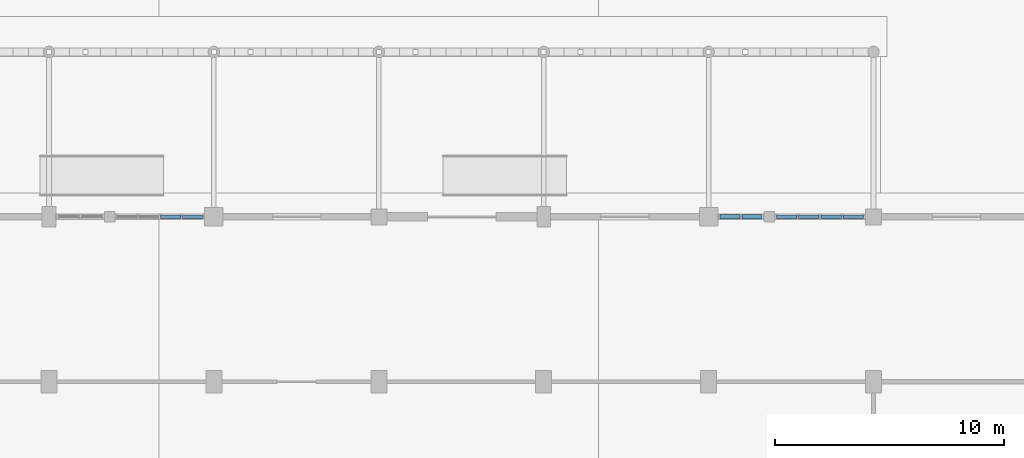
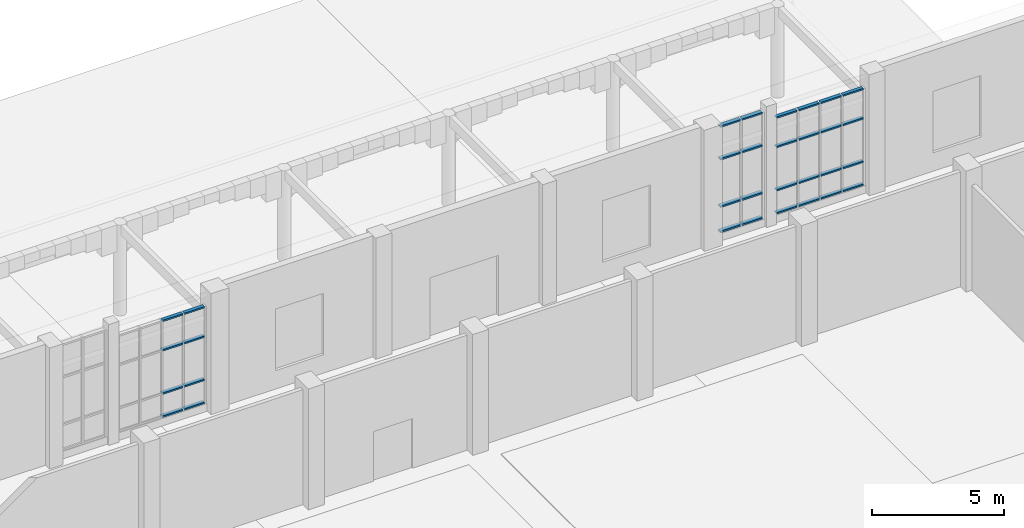
# One storey, part 36 of 85: 32 members, 3 elements without a shape of their own.
"""IFC4 building model written with IfcOpenShell, lengths in metres."""

from ifc_helpers import new_model, si_unit, direction, frame, origin, origin_2d, place, context, subcontext, project, spatial, rectangle, extrude, material, material_profile, profile_set, type_object, element, aggregate, save


model = new_model("IFC4")

# Units and contexts
model_context = context("Model", 3, precision=1e-05, world=origin(), true_north=direction((0.0, 1.0)))
body_context = subcontext(model_context, "Body", "Model", "MODEL_VIEW")
ifc_project = project(units=[si_unit("LENGTHUNIT", "METRE"), si_unit("AREAUNIT", "SQUARE_METRE"), si_unit("VOLUMEUNIT", "CUBIC_METRE"), si_unit("PLANEANGLEUNIT", "RADIAN"), si_unit("MASSUNIT", "GRAM", prefix="KILO")], contexts=[model_context])

# Site, building, storey
site_placement = place(None, origin())
site = spatial("IfcSite", under=ifc_project, at=site_placement, CompositionType="ELEMENT")
building_placement = place(site_placement, origin())
building = spatial("IfcBuilding", under=site, at=building_placement, Name="Sardonyx Promenade Sports Hall", CompositionType="ELEMENT")
storey_placement = place(building_placement, origin())
storey = spatial("IfcBuildingStorey", under=building, at=storey_placement, Name="L00", CompositionType="ELEMENT", Elevation=0.0)

# Curtain wall, members
ifc_material_1 = material(Name="Aluminium 6063-T6", Category="aluminium")
curtain_wall_type_1 = type_object("IfcCurtainWallType", Name="CW_Prac_North_L00", PredefinedType="USERDEFINED", material=ifc_material_1)
curtain_wall_1_placement = place(storey_placement, origin())
curtain_wall_1 = element("IfcCurtainWall", 1, at=curtain_wall_1_placement, inside=storey, type_object=curtain_wall_type_1, Name="Curtain wall CW06 cw:L00:100", ObjectType="CURTAIN WALL", PredefinedType="USERDEFINED")
ifc_material_2 = material(Name="Aluminium 6063-T6", Category="aluminium")
ifc_material_profile_1 = material_profile(ifc_material_2, rectangle(XDim=0.070068359375, YDim=0.159912109375, at=origin_2d()))
ifc_profile_set_1 = profile_set([ifc_material_profile_1], Name="Aluminium 6063-T6")
member_type_1 = type_object("IfcMemberType", Name="CW_Tran_160", PredefinedType="USERDEFINED", material=ifc_profile_set_1)
member_1_placement = place(storey_placement, frame((127.2724609375, 86.39990234375, 0.385009765625), z_axis=(1.0, 0.0, 0.0), x_axis=(0.0, 0.0, 1.0)))
member_1 = element("IfcMember", 2, at=member_1_placement, type_object=member_type_1, Name="Transom CT03 cw:L00:100 #9", ObjectType="TRANSOM", PredefinedType="USERDEFINED", context=body_context, shape_type="SweptSolid", body=[
    extrude(rectangle(XDim=0.070068359375, YDim=0.159912109375, at=origin_2d()), origin(), (0.0, 0.0, 1.0), 0.8837890625),
])
member_2_placement = place(storey_placement, frame((127.2724609375, 86.39990234375, 1.449951171875), z_axis=(1.0, 0.0, 0.0), x_axis=(0.0, 0.0, 1.0)))
member_2 = element("IfcMember", 3, at=member_2_placement, type_object=member_type_1, Name="Transom CT03 cw:L00:100 #10", ObjectType="TRANSOM", PredefinedType="USERDEFINED", context=body_context, shape_type="SweptSolid", body=[
    extrude(rectangle(XDim=0.070068359375, YDim=0.159912109375, at=origin_2d()), origin(), (0.0, 0.0, 1.0), 0.8837890625),
])
member_3_placement = place(storey_placement, frame((127.2724609375, 86.39990234375, 3.449951171875), z_axis=(1.0, 0.0, 0.0), x_axis=(0.0, 0.0, 1.0)))
member_3 = element("IfcMember", 4, at=member_3_placement, type_object=member_type_1, Name="Transom CT03 cw:L00:100 #11", ObjectType="TRANSOM", PredefinedType="USERDEFINED", context=body_context, shape_type="SweptSolid", body=[
    extrude(rectangle(XDim=0.070068359375, YDim=0.159912109375, at=origin_2d()), origin(), (0.0, 0.0, 1.0), 0.8837890625),
])
member_4_placement = place(storey_placement, frame((127.2724609375, 86.39990234375, 4.81494140625), z_axis=(1.0, 0.0, 0.0), x_axis=(0.0, 0.0, 1.0)))
member_4 = element("IfcMember", 5, at=member_4_placement, type_object=member_type_1, Name="Transom CT03 cw:L00:100 #12", ObjectType="TRANSOM", PredefinedType="USERDEFINED", context=body_context, shape_type="SweptSolid", body=[
    extrude(rectangle(XDim=0.070068359375, YDim=0.159912109375, at=origin_2d()), origin(), (0.0, 0.0, 1.0), 0.8837890625),
])
member_5_placement = place(storey_placement, frame((128.226318359375, 86.39990234375, 0.385009765625), z_axis=(1.0, 0.0, 0.0), x_axis=(0.0, 0.0, 1.0)))
member_5 = element("IfcMember", 6, at=member_5_placement, type_object=member_type_1, Name="Transom CT03 cw:L00:100 #13", ObjectType="TRANSOM", PredefinedType="USERDEFINED", context=body_context, shape_type="SweptSolid", body=[
    extrude(rectangle(XDim=0.070068359375, YDim=0.159912109375, at=origin_2d()), origin(), (0.0, 0.0, 1.0), 0.8837890625),
])
member_6_placement = place(storey_placement, frame((128.226318359375, 86.39990234375, 1.449951171875), z_axis=(1.0, 0.0, 0.0), x_axis=(0.0, 0.0, 1.0)))
member_6 = element("IfcMember", 7, at=member_6_placement, type_object=member_type_1, Name="Transom CT03 cw:L00:100 #14", ObjectType="TRANSOM", PredefinedType="USERDEFINED", context=body_context, shape_type="SweptSolid", body=[
    extrude(rectangle(XDim=0.070068359375, YDim=0.159912109375, at=origin_2d()), origin(), (0.0, 0.0, 1.0), 0.8837890625),
])
member_7_placement = place(storey_placement, frame((128.226318359375, 86.39990234375, 3.449951171875), z_axis=(1.0, 0.0, 0.0), x_axis=(0.0, 0.0, 1.0)))
member_7 = element("IfcMember", 8, at=member_7_placement, type_object=member_type_1, Name="Transom CT03 cw:L00:100 #15", ObjectType="TRANSOM", PredefinedType="USERDEFINED", context=body_context, shape_type="SweptSolid", body=[
    extrude(rectangle(XDim=0.070068359375, YDim=0.159912109375, at=origin_2d()), origin(), (0.0, 0.0, 1.0), 0.8837890625),
])
member_8_placement = place(storey_placement, frame((128.226318359375, 86.39990234375, 4.81494140625), z_axis=(1.0, 0.0, 0.0), x_axis=(0.0, 0.0, 1.0)))
member_8 = element("IfcMember", 9, at=member_8_placement, type_object=member_type_1, Name="Transom CT03 cw:L00:100 #16", ObjectType="TRANSOM", PredefinedType="USERDEFINED", context=body_context, shape_type="SweptSolid", body=[
    extrude(rectangle(XDim=0.070068359375, YDim=0.159912109375, at=origin_2d()), origin(), (0.0, 0.0, 1.0), 0.8837890625),
])
aggregate(curtain_wall_1, [member_1, member_2, member_3, member_4, member_5, member_6, member_7, member_8])

curtain_wall_2_placement = place(storey_placement, origin())
curtain_wall_2 = element("IfcCurtainWall", 10, at=curtain_wall_2_placement, inside=storey, type_object=curtain_wall_type_1, Name="Curtain wall CW06 cw:L00:102", ObjectType="CURTAIN WALL", PredefinedType="USERDEFINED")
member_9_placement = place(storey_placement, frame((154.1650390625, 86.39990234375, 0.385009765625), z_axis=(1.0, 0.0, 0.0), x_axis=(0.0, 0.0, 1.0)))
member_9 = element("IfcMember", 11, at=member_9_placement, type_object=member_type_1, Name="Transom CT03 cw:L00:102 #1", ObjectType="TRANSOM", PredefinedType="USERDEFINED", context=body_context, shape_type="SweptSolid", body=[
    extrude(rectangle(XDim=0.070068359375, YDim=0.159912109375, at=origin_2d()), origin(), (0.0, 0.0, 1.0), 0.896240234375),
])
member_10_placement = place(storey_placement, frame((154.1650390625, 86.39990234375, 1.449951171875), z_axis=(1.0, 0.0, 0.0), x_axis=(0.0, 0.0, 1.0)))
member_10 = element("IfcMember", 12, at=member_10_placement, type_object=member_type_1, Name="Transom CT03 cw:L00:102 #2", ObjectType="TRANSOM", PredefinedType="USERDEFINED", context=body_context, shape_type="SweptSolid", body=[
    extrude(rectangle(XDim=0.070068359375, YDim=0.159912109375, at=origin_2d()), origin(), (0.0, 0.0, 1.0), 0.896240234375),
])
member_11_placement = place(storey_placement, frame((154.1650390625, 86.39990234375, 3.449951171875), z_axis=(1.0, 0.0, 0.0), x_axis=(0.0, 0.0, 1.0)))
member_11 = element("IfcMember", 13, at=member_11_placement, type_object=member_type_1, Name="Transom CT03 cw:L00:102 #3", ObjectType="TRANSOM", PredefinedType="USERDEFINED", context=body_context, shape_type="SweptSolid", body=[
    extrude(rectangle(XDim=0.070068359375, YDim=0.159912109375, at=origin_2d()), origin(), (0.0, 0.0, 1.0), 0.896240234375),
])
member_12_placement = place(storey_placement, frame((154.1650390625, 86.39990234375, 4.81494140625), z_axis=(1.0, 0.0, 0.0), x_axis=(0.0, 0.0, 1.0)))
member_12 = element("IfcMember", 14, at=member_12_placement, type_object=member_type_1, Name="Transom CT03 cw:L00:102 #4", ObjectType="TRANSOM", PredefinedType="USERDEFINED", context=body_context, shape_type="SweptSolid", body=[
    extrude(rectangle(XDim=0.070068359375, YDim=0.159912109375, at=origin_2d()), origin(), (0.0, 0.0, 1.0), 0.896240234375),
])
member_13_placement = place(storey_placement, frame((155.13134765625, 86.39990234375, 0.385009765625), z_axis=(1.0, 0.0, 0.0), x_axis=(0.0, 0.0, 1.0)))
member_13 = element("IfcMember", 15, at=member_13_placement, type_object=member_type_1, Name="Transom CT03 cw:L00:102 #5", ObjectType="TRANSOM", PredefinedType="USERDEFINED", context=body_context, shape_type="SweptSolid", body=[
    extrude(rectangle(XDim=0.070068359375, YDim=0.159912109375, at=origin_2d()), origin(), (0.0, 0.0, 1.0), 0.896240234375),
])
member_14_placement = place(storey_placement, frame((155.13134765625, 86.39990234375, 1.449951171875), z_axis=(1.0, 0.0, 0.0), x_axis=(0.0, 0.0, 1.0)))
member_14 = element("IfcMember", 16, at=member_14_placement, type_object=member_type_1, Name="Transom CT03 cw:L00:102 #6", ObjectType="TRANSOM", PredefinedType="USERDEFINED", context=body_context, shape_type="SweptSolid", body=[
    extrude(rectangle(XDim=0.070068359375, YDim=0.159912109375, at=origin_2d()), origin(), (0.0, 0.0, 1.0), 0.896240234375),
])
member_15_placement = place(storey_placement, frame((155.13134765625, 86.39990234375, 3.449951171875), z_axis=(1.0, 0.0, 0.0), x_axis=(0.0, 0.0, 1.0)))
member_15 = element("IfcMember", 17, at=member_15_placement, type_object=member_type_1, Name="Transom CT03 cw:L00:102 #7", ObjectType="TRANSOM", PredefinedType="USERDEFINED", context=body_context, shape_type="SweptSolid", body=[
    extrude(rectangle(XDim=0.070068359375, YDim=0.159912109375, at=origin_2d()), origin(), (0.0, 0.0, 1.0), 0.896240234375),
])
member_16_placement = place(storey_placement, frame((155.13134765625, 86.39990234375, 4.81494140625), z_axis=(1.0, 0.0, 0.0), x_axis=(0.0, 0.0, 1.0)))
member_16 = element("IfcMember", 18, at=member_16_placement, type_object=member_type_1, Name="Transom CT03 cw:L00:102 #8", ObjectType="TRANSOM", PredefinedType="USERDEFINED", context=body_context, shape_type="SweptSolid", body=[
    extrude(rectangle(XDim=0.070068359375, YDim=0.159912109375, at=origin_2d()), origin(), (0.0, 0.0, 1.0), 0.896240234375),
])
member_17_placement = place(storey_placement, frame((156.097412109375, 86.39990234375, 0.385009765625), z_axis=(1.0, 0.0, 0.0), x_axis=(0.0, 0.0, 1.0)))
member_17 = element("IfcMember", 19, at=member_17_placement, type_object=member_type_1, Name="Transom CT03 cw:L00:102 #9", ObjectType="TRANSOM", PredefinedType="USERDEFINED", context=body_context, shape_type="SweptSolid", body=[
    extrude(rectangle(XDim=0.070068359375, YDim=0.159912109375, at=origin_2d()), origin(), (0.0, 0.0, 1.0), 0.896240234375),
])
member_18_placement = place(storey_placement, frame((156.097412109375, 86.39990234375, 1.449951171875), z_axis=(1.0, 0.0, 0.0), x_axis=(0.0, 0.0, 1.0)))
member_18 = element("IfcMember", 20, at=member_18_placement, type_object=member_type_1, Name="Transom CT03 cw:L00:102 #10", ObjectType="TRANSOM", PredefinedType="USERDEFINED", context=body_context, shape_type="SweptSolid", body=[
    extrude(rectangle(XDim=0.070068359375, YDim=0.159912109375, at=origin_2d()), origin(), (0.0, 0.0, 1.0), 0.896240234375),
])
member_19_placement = place(storey_placement, frame((156.097412109375, 86.39990234375, 3.449951171875), z_axis=(1.0, 0.0, 0.0), x_axis=(0.0, 0.0, 1.0)))
member_19 = element("IfcMember", 21, at=member_19_placement, type_object=member_type_1, Name="Transom CT03 cw:L00:102 #11", ObjectType="TRANSOM", PredefinedType="USERDEFINED", context=body_context, shape_type="SweptSolid", body=[
    extrude(rectangle(XDim=0.070068359375, YDim=0.159912109375, at=origin_2d()), origin(), (0.0, 0.0, 1.0), 0.896240234375),
])
member_20_placement = place(storey_placement, frame((156.097412109375, 86.39990234375, 4.81494140625), z_axis=(1.0, 0.0, 0.0), x_axis=(0.0, 0.0, 1.0)))
member_20 = element("IfcMember", 22, at=member_20_placement, type_object=member_type_1, Name="Transom CT03 cw:L00:102 #12", ObjectType="TRANSOM", PredefinedType="USERDEFINED", context=body_context, shape_type="SweptSolid", body=[
    extrude(rectangle(XDim=0.070068359375, YDim=0.159912109375, at=origin_2d()), origin(), (0.0, 0.0, 1.0), 0.896240234375),
])
member_21_placement = place(storey_placement, frame((157.063720703125, 86.39990234375, 0.385009765625), z_axis=(1.0, 0.0, 0.0), x_axis=(0.0, 0.0, 1.0)))
member_21 = element("IfcMember", 23, at=member_21_placement, type_object=member_type_1, Name="Transom CT03 cw:L00:102 #13", ObjectType="TRANSOM", PredefinedType="USERDEFINED", context=body_context, shape_type="SweptSolid", body=[
    extrude(rectangle(XDim=0.070068359375, YDim=0.159912109375, at=origin_2d()), origin(), (0.0, 0.0, 1.0), 0.896240234375),
])
member_22_placement = place(storey_placement, frame((157.063720703125, 86.39990234375, 1.449951171875), z_axis=(1.0, 0.0, 0.0), x_axis=(0.0, 0.0, 1.0)))
member_22 = element("IfcMember", 24, at=member_22_placement, type_object=member_type_1, Name="Transom CT03 cw:L00:102 #14", ObjectType="TRANSOM", PredefinedType="USERDEFINED", context=body_context, shape_type="SweptSolid", body=[
    extrude(rectangle(XDim=0.070068359375, YDim=0.159912109375, at=origin_2d()), origin(), (0.0, 0.0, 1.0), 0.896240234375),
])
member_23_placement = place(storey_placement, frame((157.063720703125, 86.39990234375, 3.449951171875), z_axis=(1.0, 0.0, 0.0), x_axis=(0.0, 0.0, 1.0)))
member_23 = element("IfcMember", 25, at=member_23_placement, type_object=member_type_1, Name="Transom CT03 cw:L00:102 #15", ObjectType="TRANSOM", PredefinedType="USERDEFINED", context=body_context, shape_type="SweptSolid", body=[
    extrude(rectangle(XDim=0.070068359375, YDim=0.159912109375, at=origin_2d()), origin(), (0.0, 0.0, 1.0), 0.896240234375),
])
member_24_placement = place(storey_placement, frame((157.063720703125, 86.39990234375, 4.81494140625), z_axis=(1.0, 0.0, 0.0), x_axis=(0.0, 0.0, 1.0)))
member_24 = element("IfcMember", 26, at=member_24_placement, type_object=member_type_1, Name="Transom CT03 cw:L00:102 #16", ObjectType="TRANSOM", PredefinedType="USERDEFINED", context=body_context, shape_type="SweptSolid", body=[
    extrude(rectangle(XDim=0.070068359375, YDim=0.159912109375, at=origin_2d()), origin(), (0.0, 0.0, 1.0), 0.896240234375),
])
aggregate(curtain_wall_2, [member_9, member_10, member_11, member_12, member_13, member_14, member_15, member_16, member_17, member_18, member_19, member_20, member_21, member_22, member_23, member_24])

ifc_material_3 = material(Name="Aluminium 6063-T6", Category="aluminium")
curtain_wall_type_2 = type_object("IfcCurtainWallType", Name="CW_Foyer_Pilaster_L00", PredefinedType="USERDEFINED", material=ifc_material_3)
curtain_wall_3_placement = place(storey_placement, origin())
curtain_wall_3 = element("IfcCurtainWall", 27, at=curtain_wall_3_placement, inside=storey, type_object=curtain_wall_type_2, Name="Curtain wall CW20 cw:L00:101", ObjectType="CURTAIN WALL", PredefinedType="USERDEFINED")
ifc_material_4 = material(Name="Aluminium 6063-T6", Category="aluminium")
ifc_material_profile_2 = material_profile(ifc_material_4, rectangle(XDim=0.074951171875, YDim=0.179931640625, at=origin_2d()))
ifc_profile_set_2 = profile_set([ifc_material_profile_2], Name="Aluminium 6063-T6")
member_type_2 = type_object("IfcMemberType", Name="CW_Tran_180", PredefinedType="USERDEFINED", material=ifc_profile_set_2)
member_25_placement = place(storey_placement, frame((151.695068359375, 86.39990234375, 0.387451171875), z_axis=(1.0, 0.0, 0.0), x_axis=(0.0, 0.0, 1.0)))
member_25 = element("IfcMember", 28, at=member_25_placement, type_object=member_type_2, Name="Transom CT04 cw:L00:101 #1", ObjectType="TRANSOM", PredefinedType="USERDEFINED", context=body_context, shape_type="SweptSolid", body=[
    extrude(rectangle(XDim=0.074951171875, YDim=0.179931640625, at=origin_2d()), origin(), (0.0, 0.0, 1.0), 0.8798828125),
])
member_26_placement = place(storey_placement, frame((151.695068359375, 86.39990234375, 1.550048828125), z_axis=(1.0, 0.0, 0.0), x_axis=(0.0, 0.0, 1.0)))
member_26 = element("IfcMember", 29, at=member_26_placement, type_object=member_type_2, Name="Transom CT04 cw:L00:101 #2", ObjectType="TRANSOM", PredefinedType="USERDEFINED", context=body_context, shape_type="SweptSolid", body=[
    extrude(rectangle(XDim=0.074951171875, YDim=0.179931640625, at=origin_2d()), origin(), (0.0, 0.0, 1.0), 0.8798828125),
])
member_27_placement = place(storey_placement, frame((151.695068359375, 86.39990234375, 3.75), z_axis=(1.0, 0.0, 0.0), x_axis=(0.0, 0.0, 1.0)))
member_27 = element("IfcMember", 30, at=member_27_placement, type_object=member_type_2, Name="Transom CT04 cw:L00:101 #3", ObjectType="TRANSOM", PredefinedType="USERDEFINED", context=body_context, shape_type="SweptSolid", body=[
    extrude(rectangle(XDim=0.074951171875, YDim=0.179931640625, at=origin_2d()), origin(), (0.0, 0.0, 1.0), 0.8798828125),
])
member_28_placement = place(storey_placement, frame((151.695068359375, 86.39990234375, 5.262451171875), z_axis=(1.0, 0.0, 0.0), x_axis=(0.0, 0.0, 1.0)))
member_28 = element("IfcMember", 31, at=member_28_placement, type_object=member_type_2, Name="Transom CT04 cw:L00:101 #4", ObjectType="TRANSOM", PredefinedType="USERDEFINED", context=body_context, shape_type="SweptSolid", body=[
    extrude(rectangle(XDim=0.074951171875, YDim=0.179931640625, at=origin_2d()), origin(), (0.0, 0.0, 1.0), 0.8798828125),
])
member_29_placement = place(storey_placement, frame((152.64990234375, 86.39990234375, 0.387451171875), z_axis=(1.0, 0.0, 0.0), x_axis=(0.0, 0.0, 1.0)))
member_29 = element("IfcMember", 32, at=member_29_placement, type_object=member_type_2, Name="Transom CT04 cw:L00:101 #5", ObjectType="TRANSOM", PredefinedType="USERDEFINED", context=body_context, shape_type="SweptSolid", body=[
    extrude(rectangle(XDim=0.074951171875, YDim=0.179931640625, at=origin_2d()), origin(), (0.0, 0.0, 1.0), 0.880126953125),
])
member_30_placement = place(storey_placement, frame((152.64990234375, 86.39990234375, 1.550048828125), z_axis=(1.0, 0.0, 0.0), x_axis=(0.0, 0.0, 1.0)))
member_30 = element("IfcMember", 33, at=member_30_placement, type_object=member_type_2, Name="Transom CT04 cw:L00:101 #6", ObjectType="TRANSOM", PredefinedType="USERDEFINED", context=body_context, shape_type="SweptSolid", body=[
    extrude(rectangle(XDim=0.074951171875, YDim=0.179931640625, at=origin_2d()), origin(), (0.0, 0.0, 1.0), 0.880126953125),
])
member_31_placement = place(storey_placement, frame((152.64990234375, 86.39990234375, 3.75), z_axis=(1.0, 0.0, 0.0), x_axis=(0.0, 0.0, 1.0)))
member_31 = element("IfcMember", 34, at=member_31_placement, type_object=member_type_2, Name="Transom CT04 cw:L00:101 #7", ObjectType="TRANSOM", PredefinedType="USERDEFINED", context=body_context, shape_type="SweptSolid", body=[
    extrude(rectangle(XDim=0.074951171875, YDim=0.179931640625, at=origin_2d()), origin(), (0.0, 0.0, 1.0), 0.880126953125),
])
member_32_placement = place(storey_placement, frame((152.64990234375, 86.39990234375, 5.262451171875), z_axis=(1.0, 0.0, 0.0), x_axis=(0.0, 0.0, 1.0)))
member_32 = element("IfcMember", 35, at=member_32_placement, type_object=member_type_2, Name="Transom CT04 cw:L00:101 #8", ObjectType="TRANSOM", PredefinedType="USERDEFINED", context=body_context, shape_type="SweptSolid", body=[
    extrude(rectangle(XDim=0.074951171875, YDim=0.179931640625, at=origin_2d()), origin(), (0.0, 0.0, 1.0), 0.880126953125),
])
aggregate(curtain_wall_3, [member_25, member_26, member_27, member_28, member_29, member_30, member_31, member_32])

save(model, "model.ifc")
